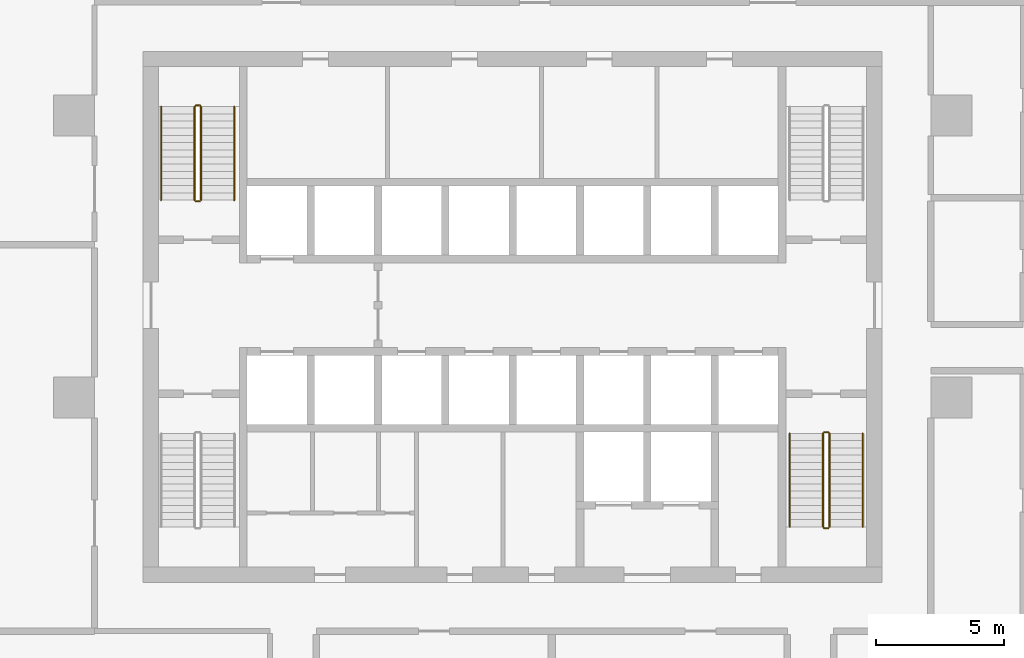
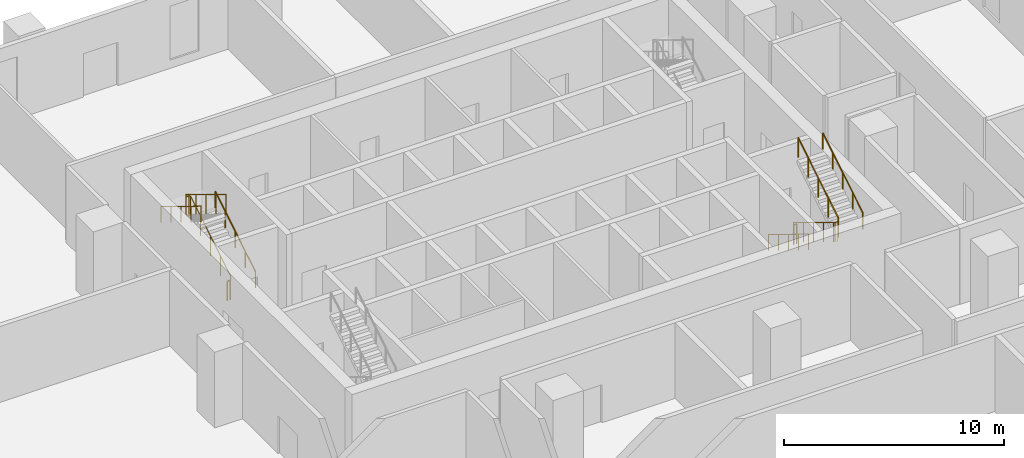
# One storey, part 13 of 15: 10 railings.
"""IFC4 building model written with IfcOpenShell, lengths in metres."""

from ifc_helpers import new_model, si_unit, direction, frame, origin, origin_2d, place, context, subcontext, project, spatial, circle, extrude, material, type_object, element, save


model = new_model("IFC4")

# Units and contexts
model_context = context("Model", 3, precision=1e-05, world=origin(), true_north=direction((0.0, 1.0)))
body_context = subcontext(model_context, "Body", "Model", "MODEL_VIEW")
ifc_project = project(units=[si_unit("LENGTHUNIT", "METRE"), si_unit("AREAUNIT", "SQUARE_METRE"), si_unit("VOLUMEUNIT", "CUBIC_METRE"), si_unit("PLANEANGLEUNIT", "RADIAN"), si_unit("MASSUNIT", "GRAM", prefix="KILO")], contexts=[model_context])

# Site, building, storey
site_placement = place(None, origin())
site = spatial("IfcSite", under=ifc_project, at=site_placement, CompositionType="ELEMENT")
building_placement = place(site_placement, origin())
building = spatial("IfcBuilding", under=site, at=building_placement, Name="Mopane Tessera Tower", CompositionType="ELEMENT")
storey_placement = place(building_placement, frame((0.0, 0.0, 83.800048828125)))
storey = spatial("IfcBuildingStorey", under=building, at=storey_placement, Name="L16", CompositionType="ELEMENT", Elevation=83.800048828125)

# Railings
ifc_material_1 = material(Name="Powder-coated steel balustrade", Category="steel")
railing_type_1 = type_object("IfcRailingType", Name="Escape stair guard 1100 mm", PredefinedType="GUARDRAIL", material=ifc_material_1)
railing_1_placement = place(storey_placement, frame((-12.14990234375, 7.699951171875, 0.17138671875)))
element("IfcRailing", 1, at=railing_1_placement, inside=storey, type_object=railing_type_1, Name="L16 ST2 stair guard 1", PredefinedType="GUARDRAIL", context=body_context, shape_type="SweptSolid", body=[
    extrude(circle(Radius=0.02392578125, at=origin_2d()), frame((0.0, 0.0, 1.076171875), z_axis=(0.0, 0.852865859571, 0.52213008492), x_axis=(-1.0, 0.0, 0.0)), (0.0, 0.0, 1.0), 4.26806640625),
    extrude(circle(Radius=0.02392578125, at=origin_2d()), frame((0.0, 3.64013671875, 3.3046875), z_axis=(-0.708833529934, 0.705375805398, 0.0), x_axis=(-0.705375805398, -0.708833529934, 0.0)), (0.0, 0.0, 1.0), 0.070556640625),
    extrude(circle(Radius=0.02392578125, at=origin_2d()), frame((-0.050048828125, 3.68994140625, 3.3046875), z_axis=(-1.0, 0.0, 0.0), x_axis=(0.0, -1.0, 0.0)), (0.0, 0.0, 1.0), 0.150146484375),
    extrude(circle(Radius=0.02099609375, at=origin_2d()), origin(), (0.0, 0.0, 1.0), 1.052001953125),
    extrude(circle(Radius=0.02099609375, at=origin_2d()), frame((0.0, 0.91015625, 0.55712890625)), (0.0, 0.0, 1.0), 1.052001953125),
    extrude(circle(Radius=0.02099609375, at=origin_2d()), frame((0.0, 1.820068359375, 1.1142578125)), (0.0, 0.0, 1.0), 1.052001953125),
    extrude(circle(Radius=0.02099609375, at=origin_2d()), frame((0.0, 2.72998046875, 1.67138671875)), (0.0, 0.0, 1.0), 1.052001953125),
    extrude(circle(Radius=0.02099609375, at=origin_2d()), frame((0.0, 3.64013671875, 2.228515625)), (0.0, 0.0, 1.0), 1.052001953125),
    extrude(circle(Radius=0.02099609375, at=origin_2d()), frame((-0.050048828125, 3.68994140625, 2.228515625)), (0.0, 0.0, 1.0), 1.052001953125),
    extrude(circle(Radius=0.02099609375, at=origin_2d()), frame((-0.2001953125, 3.68994140625, 2.228515625)), (0.0, 0.0, 1.0), 1.052001953125),
])
railing_2_placement = place(storey_placement, frame((-12.39990234375, 11.340087890625, 2.5712890625)))
element("IfcRailing", 2, at=railing_2_placement, inside=storey, type_object=railing_type_1, Name="L16 ST2 stair guard 2", PredefinedType="GUARDRAIL", context=body_context, shape_type="SweptSolid", body=[
    extrude(circle(Radius=0.02392578125, at=origin_2d()), frame((0.0, 0.0, 1.076171875), z_axis=(0.0, -0.852840387347, 0.522171689878), x_axis=(1.0, 0.0, 0.0)), (0.0, 0.0, 1.0), 4.268310546875),
    extrude(circle(Radius=0.02099609375, at=origin_2d()), origin(), (0.0, 0.0, 1.0), 1.052001953125),
    extrude(circle(Radius=0.02099609375, at=origin_2d()), frame((0.0, -0.91015625, 0.55712890625)), (0.0, 0.0, 1.0), 1.052001953125),
    extrude(circle(Radius=0.02099609375, at=origin_2d()), frame((0.0, -1.820068359375, 1.1142578125)), (0.0, 0.0, 1.0), 1.052001953125),
    extrude(circle(Radius=0.02099609375, at=origin_2d()), frame((0.0, -2.72998046875, 1.671630859375)), (0.0, 0.0, 1.0), 1.052001953125),
    extrude(circle(Radius=0.02099609375, at=origin_2d()), frame((0.0, -3.64013671875, 2.228759765625)), (0.0, 0.0, 1.0), 1.052001953125),
])
railing_3_placement = place(storey_placement, frame((-12.199951171875, 7.64990234375, 0.0)))
element("IfcRailing", 3, at=railing_3_placement, inside=storey, type_object=railing_type_1, Name="L16 ST2 stair guard 3", PredefinedType="GUARDRAIL", context=body_context, shape_type="SweptSolid", body=[
    extrude(circle(Radius=0.02392578125, at=origin_2d()), frame((0.0, 0.0, 1.076171875), z_axis=(-1.0, 0.0, 0.0), x_axis=(0.0, -1.0, 0.0)), (0.0, 0.0, 1.0), 0.150146484375),
    extrude(circle(Radius=0.02099609375, at=origin_2d()), origin(), (0.0, 0.0, 1.0), 1.052001953125),
    extrude(circle(Radius=0.02099609375, at=origin_2d()), frame((-0.150146484375, 0.0, 0.0)), (0.0, 0.0, 1.0), 1.052001953125),
])
railing_4_placement = place(storey_placement, frame((12.10009765625, -1.39990234375, 0.17138671875)))
element("IfcRailing", 4, at=railing_4_placement, inside=storey, type_object=railing_type_1, Name="L16 ST3 stair guard 1", PredefinedType="GUARDRAIL", context=body_context, shape_type="SweptSolid", body=[
    extrude(circle(Radius=0.02392578125, at=origin_2d()), frame((0.0, 0.0, 1.076171875), z_axis=(0.0, -0.852865859571, 0.52213008492), x_axis=(1.0, 0.0, 0.0)), (0.0, 0.0, 1.0), 4.26806640625),
    extrude(circle(Radius=0.02392578125, at=origin_2d()), frame((0.0, -3.64013671875, 3.3046875), z_axis=(0.705375805398, -0.708833529934, 0.0), x_axis=(0.708833529934, 0.705375805398, 0.0)), (0.0, 0.0, 1.0), 0.070556640625),
    extrude(circle(Radius=0.02392578125, at=origin_2d()), frame((0.0498046875, -3.690185546875, 3.3046875), z_axis=(1.0, 0.0, 0.0), x_axis=(0.0, 1.0, 0.0)), (0.0, 0.0, 1.0), 0.150146484375),
    extrude(circle(Radius=0.02099609375, at=origin_2d()), origin(), (0.0, 0.0, 1.0), 1.052001953125),
    extrude(circle(Radius=0.02099609375, at=origin_2d()), frame((0.0, -0.91015625, 0.55712890625)), (0.0, 0.0, 1.0), 1.052001953125),
    extrude(circle(Radius=0.02099609375, at=origin_2d()), frame((0.0, -1.820068359375, 1.1142578125)), (0.0, 0.0, 1.0), 1.052001953125),
    extrude(circle(Radius=0.02099609375, at=origin_2d()), frame((0.0, -2.72998046875, 1.67138671875)), (0.0, 0.0, 1.0), 1.052001953125),
    extrude(circle(Radius=0.02099609375, at=origin_2d()), frame((0.0, -3.64013671875, 2.228515625)), (0.0, 0.0, 1.0), 1.052001953125),
    extrude(circle(Radius=0.02099609375, at=origin_2d()), frame((0.0498046875, -3.690185546875, 2.228515625)), (0.0, 0.0, 1.0), 1.052001953125),
    extrude(circle(Radius=0.02099609375, at=origin_2d()), frame((0.199951171875, -3.690185546875, 2.228515625)), (0.0, 0.0, 1.0), 1.052001953125),
])
railing_5_placement = place(storey_placement, frame((12.35009765625, -5.0400390625, 2.5712890625)))
element("IfcRailing", 5, at=railing_5_placement, inside=storey, type_object=railing_type_1, Name="L16 ST3 stair guard 2", PredefinedType="GUARDRAIL", context=body_context, shape_type="SweptSolid", body=[
    extrude(circle(Radius=0.02392578125, at=origin_2d()), frame((0.0, 0.0, 1.076171875), z_axis=(0.0, 0.852840387347, 0.522171689878), x_axis=(-1.0, 0.0, 0.0)), (0.0, 0.0, 1.0), 4.268310546875),
    extrude(circle(Radius=0.02099609375, at=origin_2d()), origin(), (0.0, 0.0, 1.0), 1.052001953125),
    extrude(circle(Radius=0.02099609375, at=origin_2d()), frame((0.0, 0.91015625, 0.55712890625)), (0.0, 0.0, 1.0), 1.052001953125),
    extrude(circle(Radius=0.02099609375, at=origin_2d()), frame((0.0, 1.820068359375, 1.1142578125)), (0.0, 0.0, 1.0), 1.052001953125),
    extrude(circle(Radius=0.02099609375, at=origin_2d()), frame((0.0, 2.72998046875, 1.671630859375)), (0.0, 0.0, 1.0), 1.052001953125),
    extrude(circle(Radius=0.02099609375, at=origin_2d()), frame((0.0, 3.64013671875, 2.228759765625)), (0.0, 0.0, 1.0), 1.052001953125),
])
railing_6_placement = place(storey_placement, frame((12.14990234375, -1.35009765625, 0.0)))
element("IfcRailing", 6, at=railing_6_placement, inside=storey, type_object=railing_type_1, Name="L16 ST3 stair guard 3", PredefinedType="GUARDRAIL", context=body_context, shape_type="SweptSolid", body=[
    extrude(circle(Radius=0.02392578125, at=origin_2d()), frame((0.0, 0.0, 1.076171875), z_axis=(1.0, 0.0, 0.0), x_axis=(0.0, 1.0, 0.0)), (0.0, 0.0, 1.0), 0.150146484375),
    extrude(circle(Radius=0.02099609375, at=origin_2d()), origin(), (0.0, 0.0, 1.0), 1.052001953125),
    extrude(circle(Radius=0.02099609375, at=origin_2d()), frame((0.150146484375, 0.0, 0.0)), (0.0, 0.0, 1.0), 1.052001953125),
])
ifc_material_2 = material(Name="Powder-coated steel balustrade", Category="steel")
railing_type_2 = type_object("IfcRailingType", Name="Escape stair handrail 900 mm", PredefinedType="HANDRAIL", material=ifc_material_2)
railing_7_placement = place(storey_placement, frame((-10.85009765625, 7.699951171875, 0.17138671875)))
element("IfcRailing", 7, at=railing_7_placement, inside=storey, type_object=railing_type_2, Name="L16 ST2 stair handrail 1", PredefinedType="HANDRAIL", context=body_context, shape_type="SweptSolid", body=[
    extrude(circle(Radius=0.02392578125, at=origin_2d()), frame((0.0, 0.0, 0.8759765625), z_axis=(0.0, 0.852865859571, 0.52213008492), x_axis=(-1.0, 0.0, 0.0)), (0.0, 0.0, 1.0), 4.26806640625),
    extrude(circle(Radius=0.02099609375, at=origin_2d()), origin(), (0.0, 0.0, 1.0), 0.851806640625),
    extrude(circle(Radius=0.02099609375, at=origin_2d()), frame((0.0, 0.91015625, 0.55712890625)), (0.0, 0.0, 1.0), 0.851806640625),
    extrude(circle(Radius=0.02099609375, at=origin_2d()), frame((0.0, 1.820068359375, 1.1142578125)), (0.0, 0.0, 1.0), 0.851806640625),
    extrude(circle(Radius=0.02099609375, at=origin_2d()), frame((0.0, 2.72998046875, 1.67138671875)), (0.0, 0.0, 1.0), 0.851806640625),
    extrude(circle(Radius=0.02099609375, at=origin_2d()), frame((0.0, 3.64013671875, 2.228515625)), (0.0, 0.0, 1.0), 0.851806640625),
])
railing_8_placement = place(storey_placement, frame((-13.699951171875, 11.340087890625, 2.5712890625)))
element("IfcRailing", 8, at=railing_8_placement, inside=storey, type_object=railing_type_2, Name="L16 ST2 stair handrail 2", PredefinedType="HANDRAIL", context=body_context, shape_type="SweptSolid", body=[
    extrude(circle(Radius=0.02392578125, at=origin_2d()), frame((0.0, 0.0, 0.8759765625), z_axis=(0.0, -0.852840387347, 0.522171689878), x_axis=(1.0, 0.0, 0.0)), (0.0, 0.0, 1.0), 4.268310546875),
    extrude(circle(Radius=0.02099609375, at=origin_2d()), origin(), (0.0, 0.0, 1.0), 0.851806640625),
    extrude(circle(Radius=0.02099609375, at=origin_2d()), frame((0.0, -0.91015625, 0.55712890625)), (0.0, 0.0, 1.0), 0.851806640625),
    extrude(circle(Radius=0.02099609375, at=origin_2d()), frame((0.0, -1.820068359375, 1.1142578125)), (0.0, 0.0, 1.0), 0.851806640625),
    extrude(circle(Radius=0.02099609375, at=origin_2d()), frame((0.0, -2.72998046875, 1.671630859375)), (0.0, 0.0, 1.0), 0.851806640625),
    extrude(circle(Radius=0.02099609375, at=origin_2d()), frame((0.0, -3.64013671875, 2.228759765625)), (0.0, 0.0, 1.0), 0.851806640625),
])
railing_9_placement = place(storey_placement, frame((10.800048828125, -1.39990234375, 0.17138671875)))
element("IfcRailing", 9, at=railing_9_placement, inside=storey, type_object=railing_type_2, Name="L16 ST3 stair handrail 1", PredefinedType="HANDRAIL", context=body_context, shape_type="SweptSolid", body=[
    extrude(circle(Radius=0.02392578125, at=origin_2d()), frame((0.0, 0.0, 0.8759765625), z_axis=(0.0, -0.852865859571, 0.52213008492), x_axis=(1.0, 0.0, 0.0)), (0.0, 0.0, 1.0), 4.26806640625),
    extrude(circle(Radius=0.02099609375, at=origin_2d()), origin(), (0.0, 0.0, 1.0), 0.851806640625),
    extrude(circle(Radius=0.02099609375, at=origin_2d()), frame((0.0, -0.91015625, 0.55712890625)), (0.0, 0.0, 1.0), 0.851806640625),
    extrude(circle(Radius=0.02099609375, at=origin_2d()), frame((0.0, -1.820068359375, 1.1142578125)), (0.0, 0.0, 1.0), 0.851806640625),
    extrude(circle(Radius=0.02099609375, at=origin_2d()), frame((0.0, -2.72998046875, 1.67138671875)), (0.0, 0.0, 1.0), 0.851806640625),
    extrude(circle(Radius=0.02099609375, at=origin_2d()), frame((0.0, -3.64013671875, 2.228515625)), (0.0, 0.0, 1.0), 0.851806640625),
])
railing_10_placement = place(storey_placement, frame((13.64990234375, -5.0400390625, 2.5712890625)))
element("IfcRailing", 10, at=railing_10_placement, inside=storey, type_object=railing_type_2, Name="L16 ST3 stair handrail 2", PredefinedType="HANDRAIL", context=body_context, shape_type="SweptSolid", body=[
    extrude(circle(Radius=0.02392578125, at=origin_2d()), frame((0.0, 0.0, 0.8759765625), z_axis=(0.0, 0.852840387347, 0.522171689878), x_axis=(-1.0, 0.0, 0.0)), (0.0, 0.0, 1.0), 4.268310546875),
    extrude(circle(Radius=0.02099609375, at=origin_2d()), origin(), (0.0, 0.0, 1.0), 0.851806640625),
    extrude(circle(Radius=0.02099609375, at=origin_2d()), frame((0.0, 0.91015625, 0.55712890625)), (0.0, 0.0, 1.0), 0.851806640625),
    extrude(circle(Radius=0.02099609375, at=origin_2d()), frame((0.0, 1.820068359375, 1.1142578125)), (0.0, 0.0, 1.0), 0.851806640625),
    extrude(circle(Radius=0.02099609375, at=origin_2d()), frame((0.0, 2.72998046875, 1.671630859375)), (0.0, 0.0, 1.0), 0.851806640625),
    extrude(circle(Radius=0.02099609375, at=origin_2d()), frame((0.0, 3.64013671875, 2.228759765625)), (0.0, 0.0, 1.0), 0.851806640625),
])

save(model, "model.ifc")
